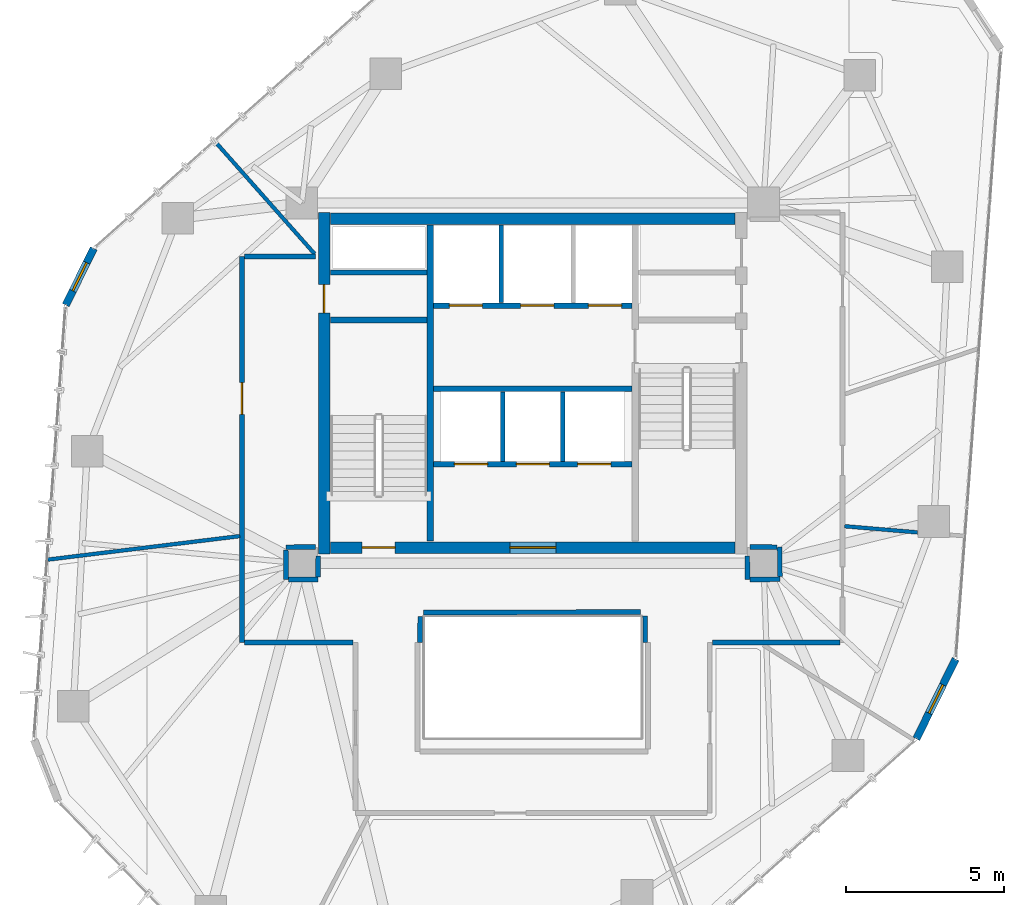
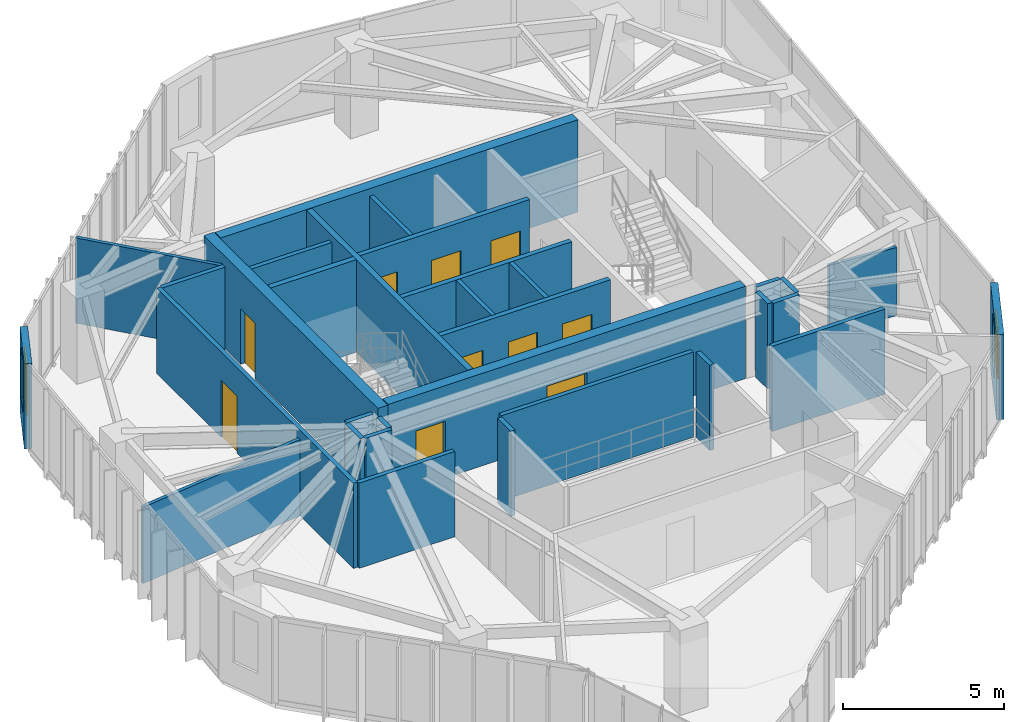
# One storey, part 16 of 20: 32 walls, 10 doors, 2 windows, 12 openings.
"""IFC4 building model written with IfcOpenShell, lengths in metres."""

import ifcopenshell
import ifcopenshell.guid

model = None  # the IFC model being written
_history = None  # IfcOwnerHistory: only IFC2X3 demands one
_inside = {}  # id of a spatial element -> (the spatial element, [elements in it])
_under = {}  # id of a project, library or spatial element -> (it, [spatial elements below it])
_declared = {}  # id of a project -> (the project, [libraries it declares])
_typed = {}  # id of a type object -> (the type object, [elements of that type])
_made_of = {}  # id of a material, layer set ... -> (it, [elements and type objects made of it])


def new_model(schema):
    """Start an empty IFC model of exactly this schema.

    Asked for "IFC4X3", IfcOpenShell would pick the latest addendum, in which some entities
    have other attributes; the version numbers below select the first issue.
    IFC2X3 requires an IfcOwnerHistory on every rooted entity: one is made here for all.
    """
    global model, _history
    if schema == "IFC4X3":
        model = ifcopenshell.file(schema_version=(4, 3, 0, 0))
    else:
        model = ifcopenshell.file(schema=schema)
    _inside.clear()
    _under.clear()
    _declared.clear()
    _typed.clear()
    _made_of.clear()
    _history = None
    if model.schema == "IFC2X3":
        org = make("IfcOrganization", Name="unknown")
        user = make(
            "IfcPersonAndOrganization",
            ThePerson=make("IfcPerson", FamilyName="unknown"),
            TheOrganization=org,
        )
        app = make(
            "IfcApplication",
            ApplicationDeveloper=org,
            Version="unknown",
            ApplicationFullName="unknown",
            ApplicationIdentifier="unknown",
        )
        _history = make(
            "IfcOwnerHistory",
            OwningUser=user,
            OwningApplication=app,
            ChangeAction="ADDED",
            CreationDate=0,
        )
    return model


def make(cls, **values):
    """One entity of the class cls with the attributes given. An attribute that is None is left unset."""
    return model.create_entity(
        cls, **{name: value for name, value in values.items() if value is not None}
    )


def rooted(cls, **values):
    """An entity with a GlobalId (a new one), such as an element, a storey or a relation."""
    return make(cls, GlobalId=ifcopenshell.guid.new(), OwnerHistory=_history, **values)


def si_unit(unit_type, name, prefix=None):
    """IfcSIUnit, for example si_unit("LENGTHUNIT", "METRE", prefix="MILLI")."""
    return make("IfcSIUnit", UnitType=unit_type, Prefix=prefix, Name=name)


def assignment(units):
    """IfcUnitAssignment: the units of a project."""
    return None if units is None else make("IfcUnitAssignment", Units=units)


def point(xyz):
    """IfcCartesianPoint."""
    return None if xyz is None else make("IfcCartesianPoint", Coordinates=xyz)


def direction(xyz):
    """IfcDirection."""
    return None if xyz is None else make("IfcDirection", DirectionRatios=xyz)


def frame(location, z_axis=None, x_axis=None):
    """IfcAxis2Placement3D, a coordinate frame: its origin and axes. An axis left out is left unset."""
    return make(
        "IfcAxis2Placement3D",
        Location=point(location),
        Axis=direction(z_axis),
        RefDirection=direction(x_axis),
    )


def frame_2d(location, x_axis=None):
    """IfcAxis2Placement2D, a coordinate frame in the plane: its origin and x axis."""
    return make(
        "IfcAxis2Placement2D", Location=point(location), RefDirection=direction(x_axis)
    )


def origin():
    """The frame at (0, 0, 0) with its axes left unset."""
    return frame((0.0, 0.0, 0.0))


def place(relative_to, where):
    """IfcLocalPlacement: puts the frame where relative to a parent placement (None: the world)."""
    return make(
        "IfcLocalPlacement", PlacementRelTo=relative_to, RelativePlacement=where
    )


def context(
    kind, dimensions, precision=None, world=None, true_north=None, identifier=None
):
    """IfcGeometricRepresentationContext, for example the 3D "Model" context."""
    return make(
        "IfcGeometricRepresentationContext",
        ContextIdentifier=identifier,
        ContextType=kind,
        CoordinateSpaceDimension=dimensions,
        Precision=precision,
        WorldCoordinateSystem=world,
        TrueNorth=true_north,
    )


def subcontext(parent, identifier, kind, view, scale=None):
    """IfcGeometricRepresentationSubContext, for example "Body" below "Model"."""
    return make(
        "IfcGeometricRepresentationSubContext",
        ContextIdentifier=identifier,
        ContextType=kind,
        ParentContext=parent,
        TargetScale=scale,
        TargetView=view,
    )


def project(units=None, contexts=None):
    """IfcProject with its units and contexts."""
    return rooted(
        "IfcProject",
        Name="project",
        RepresentationContexts=contexts,
        UnitsInContext=assignment(units),
    )


def spatial(cls, under=None, at=None, **own):
    """A site, building, storey or space (cls), placed at a placement, below another one or the project."""
    s = rooted(cls, ObjectPlacement=at, **own)
    if under is not None:
        _under.setdefault(under.id(), (under, []))[1].append(s)
    return s


def profile(cls, at=None, kind="AREA", **sizes):
    """A parametric profile (cls). Its sizes go by their IFC names, for example OverallWidth=200.0."""
    return make(cls, ProfileType=kind, Position=at, **sizes)


def rectangle(**sizes):
    """IfcRectangleProfileDef."""
    return profile("IfcRectangleProfileDef", **sizes)


def extrude(swept, where, along, depth):
    """IfcExtrudedAreaSolid: the profile swept, set in the frame where, extruded along a direction by depth."""
    return make(
        "IfcExtrudedAreaSolid",
        SweptArea=swept,
        Position=where,
        ExtrudedDirection=direction(along),
        Depth=depth,
    )


def shape(context_of_items, identifier, shape_type, items):
    """IfcShapeRepresentation: the items that make up one representation, for example the "Body"."""
    return make(
        "IfcShapeRepresentation",
        ContextOfItems=context_of_items,
        RepresentationIdentifier=identifier,
        RepresentationType=shape_type,
        Items=items,
    )


def source(mapping_origin, context_of_items, identifier, shape_type, items):
    """IfcRepresentationMap: a shape defined once, which mapped items show again and again."""
    return make(
        "IfcRepresentationMap",
        MappingOrigin=mapping_origin,
        MappedRepresentation=shape(context_of_items, identifier, shape_type, items),
    )


def transform(
    local_origin,
    x_axis=None,
    y_axis=None,
    z_axis=None,
    scale=None,
    scale2=None,
    scale3=None,
    uniform=True,
):
    """IfcCartesianTransformationOperator3D, or its non-uniform kind. x_axis, y_axis, z_axis: its Axis1, 2, 3."""
    if uniform:
        return make(
            "IfcCartesianTransformationOperator3D",
            Axis1=direction(x_axis),
            Axis2=direction(y_axis),
            LocalOrigin=point(local_origin),
            Scale=scale,
            Axis3=direction(z_axis),
        )
    return make(
        "IfcCartesianTransformationOperator3DnonUniform",
        Axis1=direction(x_axis),
        Axis2=direction(y_axis),
        LocalOrigin=point(local_origin),
        Scale=scale,
        Axis3=direction(z_axis),
        Scale2=scale2,
        Scale3=scale3,
    )


def mapped(mapping_source, mapping_target):
    """IfcMappedItem: shows the shape of a source again, moved by a transform."""
    return make(
        "IfcMappedItem", MappingSource=mapping_source, MappingTarget=mapping_target
    )


def material(Name=None, Category=None):
    """IfcMaterial."""
    return make("IfcMaterial", Name=Name, Category=Category)


def layer(
    of_material, thickness, ventilated=None, Name=None, Category=None, Priority=None
):
    """IfcMaterialLayer: one layer of a wall or slab, of a material (None: an air gap)."""
    return make(
        "IfcMaterialLayer",
        Material=of_material,
        LayerThickness=thickness,
        IsVentilated=ventilated,
        Name=Name,
        Category=Category,
        Priority=Priority,
    )


def layer_set(layers, Name=None):
    """IfcMaterialLayerSet."""
    return make("IfcMaterialLayerSet", MaterialLayers=layers, LayerSetName=Name)


def made_of(thing, what):
    """Note that an element or type object is made of a material, layer set ...; save() writes the relation."""
    if what is not None:
        _made_of.setdefault(what.id(), (what, []))[1].append(thing)
    return thing


def type_object(cls, material=None, **own):
    """A type object (cls), such as IfcWallType, which elements share."""
    return made_of(rooted(cls, **own), material)


def type_shapes(of_type, sources):
    """Give a type object the sources (RepresentationMaps) that its elements show as mapped items."""
    of_type.RepresentationMaps = sources


def element(
    cls,
    number,
    at=None,
    inside=None,
    cuts=None,
    type_object=None,
    material=None,
    context=None,
    identifier="Body",
    shape_type=None,
    held_by="IfcProductDefinitionShape",
    body=None,
    shapes=None,
    **own,
):
    """One element of the class cls, such as IfcWall. Its Tag is "e" and its number.

    at: its placement. inside: the storey or other place that contains it. cuts: it is an
    opening in that element (IfcRelVoidsElement). A single representation is given by context,
    identifier, shape_type and body (its items); several are given by shapes. held_by: the class
    of the entity that holds the representations. save() writes the other relations.
    """
    e = rooted(cls, Tag="e%d" % number, ObjectPlacement=at, **own)
    if body is not None:
        shapes = [shape(context, identifier, shape_type, body)]
    if shapes is not None:
        e.Representation = make(held_by, Representations=shapes)
    if inside is not None:
        _inside.setdefault(inside.id(), (inside, []))[1].append(e)
    if cuts is not None:
        rooted(
            "IfcRelVoidsElement", RelatingBuildingElement=cuts, RelatedOpeningElement=e
        )
    if type_object is not None:
        _typed.setdefault(type_object.id(), (type_object, []))[1].append(e)
    return made_of(e, material)


def fill(opening, filler):
    """IfcRelFillsElement: the door or window that sits in an opening."""
    return rooted(
        "IfcRelFillsElement",
        RelatingOpeningElement=opening,
        RelatedBuildingElement=filler,
    )


def aggregate(whole, parts):
    """IfcRelAggregates: a whole, such as a stair, and the parts it consists of."""
    return rooted("IfcRelAggregates", RelatingObject=whole, RelatedObjects=parts)


def save(model, path):
    """Write the relations noted so far, then the file.

    IfcRelAggregates (storeys below a building ...), IfcRelContainedInSpatialStructure (elements
    in a storey), IfcRelDefinesByType, IfcRelAssociatesMaterial and IfcRelDeclares: one each for
    every whole, place, type object, material and project.
    """
    for whole, parts in _under.values():
        aggregate(whole, parts)
    for where, things in _inside.values():
        rooted(
            "IfcRelContainedInSpatialStructure",
            RelatedElements=things,
            RelatingStructure=where,
        )
    for kind, things in _typed.values():
        rooted("IfcRelDefinesByType", RelatedObjects=things, RelatingType=kind)
    for what, things in _made_of.values():
        rooted("IfcRelAssociatesMaterial", RelatedObjects=things, RelatingMaterial=what)
    for by, libraries in _declared.values():
        rooted("IfcRelDeclares", RelatingContext=by, RelatedDefinitions=libraries)
    model.write(path)


model = new_model("IFC4")

# Units and contexts
model_context = context("Model", 3, precision=1e-05, world=origin(), true_north=direction((0.0, 1.0)))
body_context = subcontext(model_context, "Body", "Model", "MODEL_VIEW")
ifc_project = project(units=[si_unit("LENGTHUNIT", "METRE"), si_unit("AREAUNIT", "SQUARE_METRE"), si_unit("VOLUMEUNIT", "CUBIC_METRE"), si_unit("PLANEANGLEUNIT", "RADIAN"), si_unit("MASSUNIT", "GRAM", prefix="KILO")], contexts=[model_context])

# Site, building, storey
site_placement = place(None, origin())
site = spatial("IfcSite", under=ifc_project, at=site_placement, CompositionType="ELEMENT")
building_placement = place(site_placement, origin())
building = spatial("IfcBuilding", under=site, at=building_placement, Name="Talar Marvaseh", CompositionType="ELEMENT")
storey_placement = place(building_placement, frame((0.0, 0.0, 215.199951171875)))
storey = spatial("IfcBuildingStorey", under=building, at=storey_placement, Name="L56", CompositionType="ELEMENT", Elevation=215.199951171875)

# Wall, opening, window
ifc_material_1 = material(Name="Precast concrete C45/55", Category="concrete")
ifc_layer_1 = layer(ifc_material_1, 0.239990234375)
ifc_layer_set_1 = layer_set([ifc_layer_1], Name="Precast concrete C45/55")
wall_type_1 = type_object("IfcWallType", Name="Chamfered Hexagonal Corner Pier Wall Z3 240", PredefinedType="SOLIDWALL", material=ifc_layer_set_1)
wall_1_placement = place(storey_placement, frame((11.2294921875, 33.667236328125, 0.0), z_axis=(0.0, 0.0, 1.0), x_axis=(0.442185041508, 0.896923847975, 0.0)))
wall_1 = element("IfcWall", 1, at=wall_1_placement, inside=storey, type_object=wall_type_1, Name="L56 Chamfered Corner Limestone Pier 3", PredefinedType="SOLIDWALL", context=body_context, shape_type="SweptSolid", body=[
    extrude(rectangle(XDim=2.003173828125, YDim=0.239990234375, at=frame_2d((1.00146484375, 0.0))), origin(), (0.0, 0.0, 1.0), 3.22998046875),
])
opening_1_placement = place(wall_1_placement, frame((0.501953125, 0.0, 0.89990234375)))
opening_1 = element("IfcOpeningElement", 2, at=opening_1_placement, cuts=wall_1, Name="Opening WN-CHM10", PredefinedType="OPENING", context=body_context, shape_type="SweptSolid", body=[
    extrude(rectangle(XDim=1.0, YDim=1.949951171875, at=frame_2d((0.5, 0.97509765625))), frame((0.0, 0.1298828125, 0.0), z_axis=(0.0, -1.0, 0.0), x_axis=(1.0, 0.0, 0.0)), (0.0, 0.0, 1.0), 0.260009765625),
])
ifc_material_2 = material(Name="Laminated Low-E Solar Glass", Category="glass")
window_type = type_object("IfcWindowType", Name="Zone 3 Chamfered Corner Slot Window 1000x1950", PartitioningType="SINGLE_PANEL", PredefinedType="WINDOW", material=ifc_material_2)
shared_shape_1 = source(origin(), body_context, "Body", "SweptSolid", [
    extrude(rectangle(XDim=1.0, YDim=1.949951171875, at=frame_2d((0.5, 0.97509765625))), frame((0.0, 0.030029296875, 0.0), z_axis=(0.0, -1.0, 0.0), x_axis=(1.0, 0.0, 0.0)), (0.0, 0.0, 1.0), 0.06005859375),
])
type_shapes(window_type, [shared_shape_1])
window_1_placement = place(opening_1_placement, origin())
window_1 = element("IfcWindow", 3, at=window_1_placement, inside=storey, type_object=window_type, Name="L56 Chamfered Corner Slot Window", OverallHeight=1.949951171875, OverallWidth=1.0, PartitioningType="SINGLE_PANEL", PredefinedType="WINDOW", context=body_context, shape_type="MappedRepresentation", body=[
    mapped(shared_shape_1, transform((0.0, 0.0, 0.0), x_axis=(1.0, 0.0, 0.0), y_axis=(0.0, 1.0, 0.0), z_axis=(0.0, 0.0, 1.0), scale=1.0)),
])
fill(opening_1, window_1)

wall_2_placement = place(storey_placement, frame((39.37646484375, 22.472900390625, 0.0), z_axis=(0.0, 0.0, 1.0), x_axis=(-0.442281017176, -0.896876525418, 0.0)))
wall_2 = element("IfcWall", 4, at=wall_2_placement, inside=storey, type_object=wall_type_1, Name="L56 Chamfered Corner Limestone Pier 6", PredefinedType="SOLIDWALL", context=body_context, shape_type="SweptSolid", body=[
    extrude(rectangle(XDim=2.815185546875, YDim=0.239990234375, at=frame_2d((1.40771484375, 0.0))), origin(), (0.0, 0.0, 1.0), 3.22998046875),
])
opening_2_placement = place(wall_2_placement, frame((0.907958984375, 0.0, 0.89990234375)))
opening_2 = element("IfcOpeningElement", 5, at=opening_2_placement, cuts=wall_2, Name="Opening WN-CHM10", PredefinedType="OPENING", context=body_context, shape_type="SweptSolid", body=[
    extrude(rectangle(XDim=1.0, YDim=1.949951171875, at=frame_2d((0.5, 0.97509765625))), frame((0.0, 0.1298828125, 0.0), z_axis=(0.0, -1.0, 0.0), x_axis=(1.0, 0.0, 0.0)), (0.0, 0.0, 1.0), 0.260009765625),
])
window_2_placement = place(opening_2_placement, origin())
window_2 = element("IfcWindow", 6, at=window_2_placement, inside=storey, type_object=window_type, Name="L56 Chamfered Corner Slot Window", OverallHeight=1.949951171875, OverallWidth=1.0, PartitioningType="SINGLE_PANEL", PredefinedType="WINDOW", context=body_context, shape_type="MappedRepresentation", body=[
    mapped(shared_shape_1, transform((0.0, 0.0, 0.0), x_axis=(1.0, 0.0, 0.0), y_axis=(0.0, 1.0, 0.0), z_axis=(0.0, 0.0, 1.0), scale=1.0)),
])
fill(opening_2, window_2)

# Wall
ifc_material_3 = material(Name="Gypsum Board Partition Assembly")
ifc_layer_2 = layer(ifc_material_3, 0.155029296875)
ifc_layer_set_2 = layer_set([ifc_layer_2], Name="Gypsum Board Partition Assembly")
wall_type_2 = type_object("IfcWallType", Name="Corridor Fire-Rated Acoustic Partition 155", PredefinedType="PARTITIONING", material=ifc_layer_set_2)
wall_3_placement = place(storey_placement, frame((19.60009765625, 34.699951171875, 0.0), z_axis=(0.0, 0.0, 1.0), x_axis=(1.0, 0.0, 0.0)))
element("IfcWall", 7, at=wall_3_placement, inside=storey, type_object=wall_type_2, Name="L56 Core BOH Partition", PredefinedType="PARTITIONING", context=body_context, shape_type="SweptSolid", body=[
    extrude(rectangle(XDim=3.059814453125, YDim=0.155029296875, at=frame_2d((1.52978515625, 0.0))), origin(), (0.0, 0.0, 1.0), 3.22998046875),
])

# Wall, opening, door
wall_4_placement = place(storey_placement, frame((16.800048828125, 23.0, 0.0), z_axis=(0.0, 0.0, 1.0), x_axis=(0.0, 1.0, 0.0)))
wall_4 = element("IfcWall", 8, at=wall_4_placement, inside=storey, type_object=wall_type_2, Name="L56 Interior Partition Wall", PredefinedType="PARTITIONING", context=body_context, shape_type="SweptSolid", body=[
    extrude(rectangle(XDim=12.199951171875, YDim=0.155029296875, at=frame_2d((6.10009765625, 0.0))), origin(), (0.0, 0.0, 1.0), 3.22998046875),
])
opening_3_placement = place(wall_4_placement, frame((7.214599609375, 0.0, 0.0)))
opening_3 = element("IfcOpeningElement", 9, at=opening_3_placement, cuts=wall_4, Name="Opening DR-RM100", PredefinedType="OPENING", context=body_context, shape_type="SweptSolid", body=[
    extrude(rectangle(XDim=1.0, YDim=2.14990234375, at=frame_2d((0.5, 1.074951171875))), frame((0.0, 0.08740234375, 0.0), z_axis=(0.0, -1.0, 0.0), x_axis=(1.0, 0.0, 0.0)), (0.0, 0.0, 1.0), 0.175048828125),
])
ifc_material_4 = material(Name="Acoustic Engineered Oak Timber", Category="wood")
door_type_1 = type_object("IfcDoorType", Name="Corridor Fire-Rated Gallery Door 1000x2150", OperationType="NOTDEFINED", PredefinedType="DOOR", material=ifc_material_4)
shared_shape_2 = source(origin(), body_context, "Body", "SweptSolid", [
    extrude(rectangle(XDim=1.0, YDim=2.14990234375, at=frame_2d((0.5, 1.074951171875))), frame((0.0, 0.02490234375, 0.0), z_axis=(0.0, -1.0, 0.0), x_axis=(1.0, 0.0, 0.0)), (0.0, 0.0, 1.0), 0.050048828125),
])
type_shapes(door_type_1, [shared_shape_2])
door_1_placement = place(opening_3_placement, origin())
door_1 = element("IfcDoor", 10, at=door_1_placement, inside=storey, type_object=door_type_1, Name="L56 Scholars' Registration Reception Door", OperationType="SINGLE_SWING_LEFT", OverallHeight=2.14990234375, OverallWidth=1.0, PredefinedType="DOOR", context=body_context, shape_type="MappedRepresentation", body=[
    mapped(shared_shape_2, transform((0.0, 0.0, 0.0), x_axis=(1.0, 0.0, 0.0), y_axis=(0.0, 1.0, 0.0), z_axis=(0.0, 0.0, 1.0), scale=1.0)),
])
fill(opening_3, door_1)

# Walls
wall_5_placement = place(storey_placement, frame((16.883544921875, 35.199951171875, 0.0), z_axis=(0.0, 0.0, 1.0), x_axis=(1.0, 0.0, 0.0)))
element("IfcWall", 11, at=wall_5_placement, inside=storey, type_object=wall_type_2, Name="L56 Interior Partition Wall", PredefinedType="PARTITIONING", context=body_context, shape_type="SweptSolid", body=[
    extrude(rectangle(XDim=2.246337890625, YDim=0.155029296875, at=frame_2d((1.123046875, 0.0))), origin(), (0.0, 0.0, 1.0), 3.22998046875),
])
wall_6_placement = place(storey_placement, frame((19.1298828125, 26.0146484375, 0.0), z_axis=(0.0, 0.0, 1.0), x_axis=(-0.99999026157, -0.004413248818, 0.0)))
element("IfcWall", 12, at=wall_6_placement, inside=storey, type_object=wall_type_2, Name="L56 Interior Partition Wall", PredefinedType="PARTITIONING", context=body_context, shape_type="SweptSolid", body=[
    extrude(rectangle(XDim=0.9404296875, YDim=0.155029296875, at=frame_2d((0.47021484375, 0.0))), origin(), (0.0, 0.0, 1.0), 3.22998046875),
])
wall_7_placement = place(storey_placement, frame((18.189697265625, 25.927001953125, 0.0), z_axis=(0.0, 0.0, 1.0), x_axis=(0.002078997586, -0.999997838882, 0.0)))
element("IfcWall", 13, at=wall_7_placement, inside=storey, type_object=wall_type_2, Name="L56 Interior Partition Wall", PredefinedType="PARTITIONING", context=body_context, shape_type="SweptSolid", body=[
    extrude(rectangle(XDim=0.939453125, YDim=0.155029296875, at=frame_2d((0.4697265625, 0.0))), origin(), (0.0, 0.0, 1.0), 3.22998046875),
])
wall_8_placement = place(storey_placement, frame((18.275146484375, 24.987548828125, 0.0), z_axis=(0.0, 0.0, 1.0), x_axis=(0.999999692748, 0.0007839036, 0.0)))
element("IfcWall", 14, at=wall_8_placement, inside=storey, type_object=wall_type_2, Name="L56 Interior Partition Wall", PredefinedType="PARTITIONING", context=body_context, shape_type="SweptSolid", body=[
    extrude(rectangle(XDim=0.934326171875, YDim=0.155029296875, at=frame_2d((0.46728515625, 0.0))), origin(), (0.0, 0.0, 1.0), 3.22998046875),
])
wall_9_placement = place(storey_placement, frame((19.210205078125, 25.072021484375, 0.0), z_axis=(0.0, 0.0, 1.0), x_axis=(0.007420945932, 0.999972464402, 0.0)))
element("IfcWall", 15, at=wall_9_placement, inside=storey, type_object=wall_type_2, Name="L56 Interior Partition Wall", PredefinedType="PARTITIONING", context=body_context, shape_type="SweptSolid", body=[
    extrude(rectangle(XDim=0.657958984375, YDim=0.155029296875, at=frame_2d((0.3291015625, 0.0))), origin(), (0.0, 0.0, 1.0), 3.22998046875),
])
wall_10_placement = place(storey_placement, frame((32.784912109375, 25.72998046875, 0.0), z_axis=(0.0, 0.0, 1.0), x_axis=(0.007570553288, -0.999971342951, 0.0)))
element("IfcWall", 16, at=wall_10_placement, inside=storey, type_object=wall_type_2, Name="L56 Interior Partition Wall", PredefinedType="PARTITIONING", context=body_context, shape_type="SweptSolid", body=[
    extrude(rectangle(XDim=0.74169921875, YDim=0.155029296875, at=frame_2d((0.370849609375, 0.0))), origin(), (0.0, 0.0, 1.0), 3.22998046875),
])
wall_11_placement = place(storey_placement, frame((32.8740234375, 24.9892578125, 0.0), z_axis=(0.0, 0.0, 1.0), x_axis=(0.999934835738, 0.01141596595, 0.0)))
element("IfcWall", 17, at=wall_11_placement, inside=storey, type_object=wall_type_2, Name="L56 Interior Partition Wall", PredefinedType="PARTITIONING", context=body_context, shape_type="SweptSolid", body=[
    extrude(rectangle(XDim=0.94091796875, YDim=0.155029296875, at=frame_2d((0.470458984375, 0.0))), origin(), (0.0, 0.0, 1.0), 3.22998046875),
])
wall_12_placement = place(storey_placement, frame((33.814697265625, 25.08349609375, 0.0), z_axis=(0.0, 0.0, 1.0), x_axis=(-0.004477173984, 0.999989977406, 0.0)))
element("IfcWall", 18, at=wall_12_placement, inside=storey, type_object=wall_type_2, Name="L56 Interior Partition Wall", PredefinedType="PARTITIONING", context=body_context, shape_type="SweptSolid", body=[
    extrude(rectangle(XDim=0.927001953125, YDim=0.155029296875, at=frame_2d((0.46337890625, 0.0))), origin(), (0.0, 0.0, 1.0), 3.22998046875),
])
wall_13_placement = place(storey_placement, frame((33.72705078125, 26.010986328125, 0.0), z_axis=(0.0, 0.0, 1.0), x_axis=(-0.999990868706, 0.004273465251, 0.0)))
element("IfcWall", 19, at=wall_13_placement, inside=storey, type_object=wall_type_2, Name="L56 Interior Partition Wall", PredefinedType="PARTITIONING", context=body_context, shape_type="SweptSolid", body=[
    extrude(rectangle(XDim=0.85693359375, YDim=0.155029296875, at=frame_2d((0.428466796875, 0.0))), origin(), (0.0, 0.0, 1.0), 3.22998046875),
])
wall_14_placement = place(storey_placement, frame((35.716552734375, 23.0, 0.0), z_axis=(0.0, 0.0, 1.0), x_axis=(-1.0, 0.0, 0.0)))
element("IfcWall", 20, at=wall_14_placement, inside=storey, type_object=wall_type_2, Name="L56 Interior Partition Wall", PredefinedType="PARTITIONING", context=body_context, shape_type="SweptSolid", body=[
    extrude(rectangle(XDim=4.032958984375, YDim=0.155029296875, at=frame_2d((2.0166015625, 0.0))), origin(), (0.0, 0.0, 1.0), 3.22998046875),
])
wall_15_placement = place(storey_placement, frame((20.31640625, 23.0, 0.0), z_axis=(0.0, 0.0, 1.0), x_axis=(-1.0, 0.0, 0.0)))
element("IfcWall", 21, at=wall_15_placement, inside=storey, type_object=wall_type_2, Name="L56 Interior Partition Wall", PredefinedType="PARTITIONING", context=body_context, shape_type="SweptSolid", body=[
    extrude(rectangle(XDim=3.432861328125, YDim=0.155029296875, at=frame_2d((1.71630859375, 0.0))), origin(), (0.0, 0.0, 1.0), 3.22998046875),
])
wall_16_placement = place(storey_placement, frame((29.415771484375, 23.959228515625, 0.0), z_axis=(0.0, 0.0, 1.0), x_axis=(-0.999998607957, -0.001668557745, 0.0)))
element("IfcWall", 22, at=wall_16_placement, inside=storey, type_object=wall_type_2, Name="L56 Interior Partition Wall", PredefinedType="PARTITIONING", context=body_context, shape_type="SweptSolid", body=[
    extrude(rectangle(XDim=6.876953125, YDim=0.155029296875, at=frame_2d((3.4384765625, 0.0))), origin(), (0.0, 0.0, 1.0), 3.22998046875),
])
wall_17_placement = place(storey_placement, frame((22.44091796875, 23.815673828125, 0.0), z_axis=(0.0, 0.0, 1.0), x_axis=(-0.001197245475, -0.999999283301, 0.0)))
element("IfcWall", 23, at=wall_17_placement, inside=storey, type_object=wall_type_2, Name="L56 Interior Partition Wall", PredefinedType="PARTITIONING", context=body_context, shape_type="SweptSolid", body=[
    extrude(rectangle(XDim=0.815673828125, YDim=0.155029296875, at=frame_2d((0.40771484375, 0.0))), origin(), (0.0, 0.0, 1.0), 3.22998046875),
])
wall_18_placement = place(storey_placement, frame((29.56005859375, 23.0, 0.0), z_axis=(0.0, 0.0, 1.0), x_axis=(-0.003817887006, 0.999992711843, 0.0)))
element("IfcWall", 24, at=wall_18_placement, inside=storey, type_object=wall_type_2, Name="L56 Interior Partition Wall", PredefinedType="PARTITIONING", context=body_context, shape_type="SweptSolid", body=[
    extrude(rectangle(XDim=0.831298828125, YDim=0.155029296875, at=frame_2d((0.41552734375, 0.0))), origin(), (0.0, 0.0, 1.0), 3.22998046875),
])
ifc_layer_3 = layer(ifc_material_3, 0.1201171875)
ifc_layer_set_3 = layer_set([ifc_layer_3], Name="Gypsum Board Partition Assembly")
wall_type_3 = type_object("IfcWallType", Name="Demountable Studio Room Partition 120", PredefinedType="PARTITIONING", material=ifc_layer_set_3)
wall_19_placement = place(storey_placement, frame((10.660888671875, 25.6181640625, 0.0), z_axis=(0.0, 0.0, 1.0), x_axis=(0.99258530829, 0.121550013438, 0.0)))
element("IfcWall", 25, at=wall_19_placement, inside=storey, type_object=wall_type_3, Name="L56 Interior Partition Wall", PredefinedType="PARTITIONING", context=body_context, shape_type="SweptSolid", body=[
    extrude(rectangle(XDim=6.1201171875, YDim=0.1201171875, at=frame_2d((3.06005859375, 0.0))), origin(), (0.0, 0.0, 1.0), 2.89208984375),
])
wall_20_placement = place(storey_placement, frame((35.86474609375, 26.674560546875, 0.0), z_axis=(0.0, 0.0, 1.0), x_axis=(0.996456394082, -0.084110966541, 0.0)))
element("IfcWall", 26, at=wall_20_placement, inside=storey, type_object=wall_type_3, Name="L56 Interior Partition Wall", PredefinedType="PARTITIONING", context=body_context, shape_type="SweptSolid", body=[
    extrude(rectangle(XDim=2.3134765625, YDim=0.1201171875, at=frame_2d((1.15673828125, 0.0))), origin(), (0.0, 0.0, 1.0), 2.589111328125),
])
wall_21_placement = place(storey_placement, frame((19.10595703125, 35.283447265625, 0.0), z_axis=(0.0, 0.0, 1.0), x_axis=(-0.663281417738, 0.748370069473, 0.0)))
element("IfcWall", 27, at=wall_21_placement, inside=storey, type_object=wall_type_3, Name="L56 Interior Partition Wall", PredefinedType="PARTITIONING", context=body_context, shape_type="SweptSolid", body=[
    extrude(rectangle(XDim=4.762939453125, YDim=0.1201171875, at=frame_2d((2.38134765625, 0.0))), origin(), (0.0, 0.0, 1.0), 3.22998046875),
])
ifc_layer_4 = layer(ifc_material_1, 0.14501953125)
ifc_layer_set_4 = layer_set([ifc_layer_4], Name="Precast concrete C45/55")
wall_type_4 = type_object("IfcWallType", Name="Fire-Rated Lift Divider Wall 145", PredefinedType="SOLIDWALL", material=ifc_layer_set_4)
wall_22_placement = place(storey_placement, frame((25.0, 33.743408203125, 0.0), z_axis=(0.0, 0.0, 1.0), x_axis=(0.0, 1.0, 0.0)))
element("IfcWall", 28, at=wall_22_placement, inside=storey, type_object=wall_type_4, Name="L56 FFL-1/FFL-2 Divider", PredefinedType="SOLIDWALL", context=body_context, shape_type="SweptSolid", body=[
    extrude(rectangle(XDim=2.45654296875, YDim=0.14501953125, at=frame_2d((1.228271484375, 0.0))), origin(), (0.0, 0.0, 1.0), 3.22998046875),
])
for number, where, z_axis, x_axis, name in (
    (29, (25.050048828125, 28.719970703125, 0.0), (0.0, 0.0, 1.0), (0.0, 1.0, 0.0), "L56 PL-H1/PL-H2 Divider"),
    (30, (26.949951171875, 28.719970703125, 0.0), (0.0, 0.0, 1.0), (0.0, 1.0, 0.0), "L56 PL-H2/PL-H3 Divider"),
):
    element("IfcWall", number, at=place(storey_placement, frame(where, z_axis=z_axis, x_axis=x_axis)), inside=storey, type_object=wall_type_4, Name=name, PredefinedType="SOLIDWALL", context=body_context, shape_type="SweptSolid", body=[
        extrude(rectangle(XDim=2.20654296875, YDim=0.14501953125, at=frame_2d((1.103271484375, 0.0))), origin(), (0.0, 0.0, 1.0), 3.22998046875),
    ])

# Wall, openings, doors
ifc_layer_5 = layer(ifc_material_1, 0.175048828125)
ifc_layer_set_5 = layer_set([ifc_layer_5], Name="Precast concrete C45/55")
wall_type_5 = type_object("IfcWallType", Name="Fire-Rated Lift Hoistway Enclosure Wall 175", PredefinedType="SOLIDWALL", material=ifc_layer_set_5)
wall_23_placement = place(storey_placement, frame((22.860107421875, 33.64990234375, 0.0), z_axis=(0.0, 0.0, 1.0), x_axis=(1.0, 0.0, 0.0)))
wall_23 = element("IfcWall", 31, at=wall_23_placement, inside=storey, type_object=wall_type_5, Name="L56 Firefighting and Service Lift Front Wall", PredefinedType="SOLIDWALL", context=body_context, shape_type="SweptSolid", body=[
    extrude(rectangle(XDim=6.27978515625, YDim=0.175048828125, at=frame_2d((3.139892578125, 0.0))), origin(), (0.0, 0.0, 1.0), 3.22998046875),
])
opening_4_placement = place(wall_23_placement, frame((0.5, 0.0, 0.0)))
opening_4 = element("IfcOpeningElement", 32, at=opening_4_placement, cuts=wall_23, Name="Opening LD-FF1", PredefinedType="OPENING", context=body_context, shape_type="SweptSolid", body=[
    extrude(rectangle(XDim=1.050048828125, YDim=2.14990234375, at=frame_2d((0.52490234375, 1.074951171875))), frame((0.0, 0.09765625, 0.0), z_axis=(0.0, -1.0, 0.0), x_axis=(1.0, 0.0, 0.0)), (0.0, 0.0, 1.0), 0.195068359375),
])
opening_5_placement = place(wall_23_placement, frame((2.760009765625, 0.0, 0.0)))
opening_5 = element("IfcOpeningElement", 33, at=opening_5_placement, cuts=wall_23, Name="Opening LD-FF2", PredefinedType="OPENING", context=body_context, shape_type="SweptSolid", body=[
    extrude(rectangle(XDim=1.050048828125, YDim=2.14990234375, at=frame_2d((0.52490234375, 1.074951171875))), frame((0.0, 0.09765625, 0.0), z_axis=(0.0, -1.0, 0.0), x_axis=(1.0, 0.0, 0.0)), (0.0, 0.0, 1.0), 0.195068359375),
])
opening_6_placement = place(wall_23_placement, frame((4.89990234375, 0.0, 0.0)))
opening_6 = element("IfcOpeningElement", 34, at=opening_6_placement, cuts=wall_23, Name="Opening LD-SV1", PredefinedType="OPENING", context=body_context, shape_type="SweptSolid", body=[
    extrude(rectangle(XDim=1.050048828125, YDim=2.14990234375, at=frame_2d((0.52490234375, 1.074951171875))), frame((0.0, 0.09765625, 0.0), z_axis=(0.0, -1.0, 0.0), x_axis=(1.0, 0.0, 0.0)), (0.0, 0.0, 1.0), 0.195068359375),
])
ifc_material_5 = material(Name="Stainless Steel Grade 316", Category="steel")
door_type_2 = type_object("IfcDoorType", Name="Automatic Sliding Lift Landing Door 1050x2150", OperationType="NOTDEFINED", PredefinedType="DOOR", material=ifc_material_5)
shared_shape_3 = source(origin(), body_context, "Body", "SweptSolid", [
    extrude(rectangle(XDim=1.050048828125, YDim=2.14990234375, at=frame_2d((0.52490234375, 1.074951171875))), frame((0.0, 0.02490234375, 0.0), z_axis=(0.0, -1.0, 0.0), x_axis=(1.0, 0.0, 0.0)), (0.0, 0.0, 1.0), 0.050048828125),
])
type_shapes(door_type_2, [shared_shape_3])
door_2_placement = place(opening_4_placement, origin())
door_2 = element("IfcDoor", 35, at=door_2_placement, inside=storey, type_object=door_type_2, Name="L56 Lift FFL-1 Sliding Landing Door", OperationType="SLIDING_TO_LEFT", OverallHeight=2.14990234375, OverallWidth=1.050048828125, PredefinedType="DOOR", context=body_context, shape_type="MappedRepresentation", body=[
    mapped(shared_shape_3, transform((0.0, 0.0, 0.0), x_axis=(1.0, 0.0, 0.0), y_axis=(0.0, 1.0, 0.0), z_axis=(0.0, 0.0, 1.0), scale=1.0)),
])
fill(opening_4, door_2)
door_3_placement = place(opening_5_placement, origin())
door_3 = element("IfcDoor", 36, at=door_3_placement, inside=storey, type_object=door_type_2, Name="L56 Lift FFL-2 Sliding Landing Door", OperationType="SLIDING_TO_LEFT", OverallHeight=2.14990234375, OverallWidth=1.050048828125, PredefinedType="DOOR", context=body_context, shape_type="MappedRepresentation", body=[
    mapped(shared_shape_3, transform((0.0, 0.0, 0.0), x_axis=(1.0, 0.0, 0.0), y_axis=(0.0, 1.0, 0.0), z_axis=(0.0, 0.0, 1.0), scale=1.0)),
])
fill(opening_5, door_3)
door_4_placement = place(opening_6_placement, origin())
door_4 = element("IfcDoor", 37, at=door_4_placement, inside=storey, type_object=door_type_2, Name="L56 Lift SVL-1 Sliding Landing Door", OperationType="SLIDING_TO_LEFT", OverallHeight=2.14990234375, OverallWidth=1.050048828125, PredefinedType="DOOR", context=body_context, shape_type="MappedRepresentation", body=[
    mapped(shared_shape_3, transform((0.0, 0.0, 0.0), x_axis=(1.0, 0.0, 0.0), y_axis=(0.0, 1.0, 0.0), z_axis=(0.0, 0.0, 1.0), scale=1.0)),
])
fill(opening_6, door_4)

# Wall
wall_24_placement = place(storey_placement, frame((22.860107421875, 31.02001953125, 0.0), z_axis=(0.0, 0.0, 1.0), x_axis=(1.0, 0.0, 0.0)))
element("IfcWall", 38, at=wall_24_placement, inside=storey, type_object=wall_type_5, Name="L56 Firefighting Lobby South Smoke Wall", PredefinedType="SOLIDWALL", context=body_context, shape_type="SweptSolid", body=[
    extrude(rectangle(XDim=6.27978515625, YDim=0.175048828125, at=frame_2d((3.139892578125, 0.0))), origin(), (0.0, 0.0, 1.0), 3.22998046875),
])

# Wall, openings, doors
wall_25_placement = place(storey_placement, frame((22.860107421875, 28.639892578125, 0.0), z_axis=(0.0, 0.0, 1.0), x_axis=(1.0, 0.0, 0.0)))
wall_25 = element("IfcWall", 39, at=wall_25_placement, inside=storey, type_object=wall_type_5, Name="L56 High-Rise Lift Bank Front Wall", PredefinedType="SOLIDWALL", context=body_context, shape_type="SweptSolid", body=[
    extrude(rectangle(XDim=6.27978515625, YDim=0.175048828125, at=frame_2d((3.139892578125, 0.0))), origin(), (0.0, 0.0, 1.0), 3.22998046875),
])
opening_7_placement = place(wall_25_placement, frame((0.659912109375, 0.0, 0.0)))
opening_7 = element("IfcOpeningElement", 40, at=opening_7_placement, cuts=wall_25, Name="Opening LD-PLH1", PredefinedType="OPENING", context=body_context, shape_type="SweptSolid", body=[
    extrude(rectangle(XDim=1.050048828125, YDim=2.14990234375, at=frame_2d((0.52490234375, 1.074951171875))), frame((0.0, 0.09765625, 0.0), z_axis=(0.0, -1.0, 0.0), x_axis=(1.0, 0.0, 0.0)), (0.0, 0.0, 1.0), 0.195068359375),
])
opening_8_placement = place(wall_25_placement, frame((2.6201171875, 0.0, 0.0)))
opening_8 = element("IfcOpeningElement", 41, at=opening_8_placement, cuts=wall_25, Name="Opening LD-PLH2", PredefinedType="OPENING", context=body_context, shape_type="SweptSolid", body=[
    extrude(rectangle(XDim=1.050048828125, YDim=2.14990234375, at=frame_2d((0.52490234375, 1.074951171875))), frame((0.0, 0.09765625, 0.0), z_axis=(0.0, -1.0, 0.0), x_axis=(1.0, 0.0, 0.0)), (0.0, 0.0, 1.0), 0.195068359375),
])
opening_9_placement = place(wall_25_placement, frame((4.56005859375, 0.0, 0.0)))
opening_9 = element("IfcOpeningElement", 42, at=opening_9_placement, cuts=wall_25, Name="Opening LD-PLH3", PredefinedType="OPENING", context=body_context, shape_type="SweptSolid", body=[
    extrude(rectangle(XDim=1.050048828125, YDim=2.14990234375, at=frame_2d((0.52490234375, 1.074951171875))), frame((0.0, 0.09765625, 0.0), z_axis=(0.0, -1.0, 0.0), x_axis=(1.0, 0.0, 0.0)), (0.0, 0.0, 1.0), 0.195068359375),
])
door_5_placement = place(opening_7_placement, origin())
door_5 = element("IfcDoor", 43, at=door_5_placement, inside=storey, type_object=door_type_2, Name="L56 Lift PL-H1 Sliding Landing Door", OperationType="SLIDING_TO_LEFT", OverallHeight=2.14990234375, OverallWidth=1.050048828125, PredefinedType="DOOR", context=body_context, shape_type="MappedRepresentation", body=[
    mapped(shared_shape_3, transform((0.0, 0.0, 0.0), x_axis=(1.0, 0.0, 0.0), y_axis=(0.0, 1.0, 0.0), z_axis=(0.0, 0.0, 1.0), scale=1.0)),
])
fill(opening_7, door_5)
door_6_placement = place(opening_8_placement, origin())
door_6 = element("IfcDoor", 44, at=door_6_placement, inside=storey, type_object=door_type_2, Name="L56 Lift PL-H2 Sliding Landing Door", OperationType="SLIDING_TO_LEFT", OverallHeight=2.14990234375, OverallWidth=1.050048828125, PredefinedType="DOOR", context=body_context, shape_type="MappedRepresentation", body=[
    mapped(shared_shape_3, transform((0.0, 0.0, 0.0), x_axis=(1.0, 0.0, 0.0), y_axis=(0.0, 1.0, 0.0), z_axis=(0.0, 0.0, 1.0), scale=1.0)),
])
fill(opening_8, door_6)
door_7_placement = place(opening_9_placement, origin())
door_7 = element("IfcDoor", 45, at=door_7_placement, inside=storey, type_object=door_type_2, Name="L56 Lift PL-H3 Sliding Landing Door", OperationType="SLIDING_TO_LEFT", OverallHeight=2.14990234375, OverallWidth=1.050048828125, PredefinedType="DOOR", context=body_context, shape_type="MappedRepresentation", body=[
    mapped(shared_shape_3, transform((0.0, 0.0, 0.0), x_axis=(1.0, 0.0, 0.0), y_axis=(0.0, 1.0, 0.0), z_axis=(0.0, 0.0, 1.0), scale=1.0)),
])
fill(opening_9, door_7)

# Walls
ifc_material_6 = material(Name="Concrete C50/60", Category="concrete")
ifc_layer_6 = layer(ifc_material_6, 0.199951171875)
ifc_layer_set_6 = layer_set([ifc_layer_6], Name="Concrete C50/60")
wall_type_6 = type_object("IfcWallType", Name="Stair Shaft Structural Concrete Shear Wall 200", PredefinedType="SHEAR", material=ifc_layer_set_6)
wall_26_placement = place(storey_placement, frame((22.760009765625, 26.199951171875, 0.0), z_axis=(0.0, 0.0, 1.0), x_axis=(0.0, 1.0, 0.0)))
element("IfcWall", 46, at=wall_26_placement, inside=storey, type_object=wall_type_6, Name="L56 Core West Stair Shear Wall", PredefinedType="SHEAR", context=body_context, shape_type="SweptSolid", body=[
    extrude(rectangle(XDim=10.0, YDim=0.199951171875, at=frame_2d((5.0, 0.0))), origin(), (0.0, 0.0, 1.0), 3.5),
])
wall_27_placement = place(storey_placement, frame((19.60009765625, 33.199951171875, 0.0), z_axis=(0.0, 0.0, 1.0), x_axis=(1.0, 0.0, 0.0)))
element("IfcWall", 47, at=wall_27_placement, inside=storey, type_object=wall_type_6, Name="L56 Stair ST-1 North Shear Wall", PredefinedType="SHEAR", context=body_context, shape_type="SweptSolid", body=[
    extrude(rectangle(XDim=3.059814453125, YDim=0.199951171875, at=frame_2d((1.52978515625, 0.0))), origin(), (0.0, 0.0, 1.0), 3.5),
])

# Wall, opening, door
ifc_layer_7 = layer(ifc_material_6, 0.360107421875)
ifc_layer_set_7 = layer_set([ifc_layer_7], Name="Concrete C50/60")
wall_type_7 = type_object("IfcWallType", Name="Upper Core Reinforced Concrete Shear Wall 360", PredefinedType="SHEAR", material=ifc_layer_set_7)
wall_28_placement = place(storey_placement, frame((19.39990234375, 25.800048828125, 0.0), z_axis=(0.0, 0.0, 1.0), x_axis=(0.0, 1.0, 0.0)))
wall_28 = element("IfcWall", 48, at=wall_28_placement, inside=storey, type_object=wall_type_7, Name="L56 West Core Shear Wall", PredefinedType="SHEAR", context=body_context, shape_type="SweptSolid", body=[
    extrude(rectangle(XDim=10.800048828125, YDim=0.360107421875, at=frame_2d((5.39990234375, 0.0))), origin(), (0.0, 0.0, 1.0), 3.5),
])
opening_10_placement = place(wall_28_placement, frame((7.6201171875, 0.0, 0.0)))
opening_10 = element("IfcOpeningElement", 49, at=opening_10_placement, cuts=wall_28, Name="Opening DR-BOH090", PredefinedType="OPENING", context=body_context, shape_type="SweptSolid", body=[
    extrude(rectangle(XDim=0.89990234375, YDim=2.10009765625, at=frame_2d((0.449951171875, 1.050048828125))), frame((0.0, 0.18994140625, 0.0), z_axis=(0.0, -1.0, 0.0), x_axis=(1.0, 0.0, 0.0)), (0.0, 0.0, 1.0), 0.380126953125),
])
ifc_material_7 = material(Name="Fire-Rated Steel Door Leaf", Category="steel")
door_type_3 = type_object("IfcDoorType", Name="Core Back-of-House Service Door 900x2100", OperationType="NOTDEFINED", PredefinedType="DOOR", material=ifc_material_7)
shared_shape_4 = source(origin(), body_context, "Body", "SweptSolid", [
    extrude(rectangle(XDim=0.89990234375, YDim=2.10009765625, at=frame_2d((0.449951171875, 1.050048828125))), frame((0.0, 0.02490234375, 0.0), z_axis=(0.0, -1.0, 0.0), x_axis=(1.0, 0.0, 0.0)), (0.0, 0.0, 1.0), 0.050048828125),
])
type_shapes(door_type_3, [shared_shape_4])
door_8_placement = place(opening_10_placement, origin())
door_8 = element("IfcDoor", 50, at=door_8_placement, inside=storey, type_object=door_type_3, Name="L56 Cleaner Core West Closet Door", OperationType="SINGLE_SWING_LEFT", OverallHeight=2.10009765625, OverallWidth=0.89990234375, PredefinedType="DOOR", context=body_context, shape_type="MappedRepresentation", body=[
    mapped(shared_shape_4, transform((0.0, 0.0, 0.0), x_axis=(1.0, 0.0, 0.0), y_axis=(0.0, 1.0, 0.0), z_axis=(0.0, 0.0, 1.0), scale=1.0)),
])
fill(opening_10, door_8)

# Wall
wall_29_placement = place(storey_placement, frame((19.60009765625, 36.39990234375, 0.0), z_axis=(0.0, 0.0, 1.0), x_axis=(1.0, 0.0, 0.0)))
element("IfcWall", 51, at=wall_29_placement, inside=storey, type_object=wall_type_7, Name="L56 North Core Shear Wall", PredefinedType="SHEAR", context=body_context, shape_type="SweptSolid", body=[
    extrude(rectangle(XDim=12.7998046875, YDim=0.360107421875, at=frame_2d((6.39990234375, 0.0))), origin(), (0.0, 0.0, 1.0), 3.5),
])

# Wall, openings, doors
wall_30_placement = place(storey_placement, frame((32.39990234375, 26.0, 0.0), z_axis=(0.0, 0.0, 1.0), x_axis=(-1.0, 0.0, 0.0)))
wall_30 = element("IfcWall", 52, at=wall_30_placement, inside=storey, type_object=wall_type_7, Name="L56 South Core Shear Wall", PredefinedType="SHEAR", context=body_context, shape_type="SweptSolid", body=[
    extrude(rectangle(XDim=12.7998046875, YDim=0.360107421875, at=frame_2d((6.39990234375, 0.0))), origin(), (0.0, 0.0, 1.0), 3.5),
])
opening_11_placement = place(wall_30_placement, frame((10.75, 0.0, 0.0)))
opening_11 = element("IfcOpeningElement", 53, at=opening_11_placement, cuts=wall_30, Name="Opening DR-ST105", PredefinedType="OPENING", context=body_context, shape_type="SweptSolid", body=[
    extrude(rectangle(XDim=1.050048828125, YDim=2.14990234375, at=frame_2d((0.52490234375, 1.074951171875))), frame((0.0, 0.18994140625, 0.0), z_axis=(0.0, -1.0, 0.0), x_axis=(1.0, 0.0, 0.0)), (0.0, 0.0, 1.0), 0.380126953125),
])
opening_12_placement = place(wall_30_placement, frame((5.669921875, 0.0, 0.0)))
opening_12 = element("IfcOpeningElement", 54, at=opening_12_placement, cuts=wall_30, Name="Opening DR-LBY145", PredefinedType="OPENING", context=body_context, shape_type="SweptSolid", body=[
    extrude(rectangle(XDim=1.449951171875, YDim=2.199951171875, at=frame_2d((0.72509765625, 1.10009765625))), frame((0.0, 0.18994140625, 0.0), z_axis=(0.0, -1.0, 0.0), x_axis=(1.0, 0.0, 0.0)), (0.0, 0.0, 1.0), 0.380126953125),
])
door_type_4 = type_object("IfcDoorType", Name="Protected Exit Stair Fire Door 1050x2150", OperationType="NOTDEFINED", PredefinedType="DOOR", material=ifc_material_7)
shared_shape_5 = source(origin(), body_context, "Body", "SweptSolid", [
    extrude(rectangle(XDim=1.050048828125, YDim=2.14990234375, at=frame_2d((0.52490234375, 1.074951171875))), frame((0.0, 0.02490234375, 0.0), z_axis=(0.0, -1.0, 0.0), x_axis=(1.0, 0.0, 0.0)), (0.0, 0.0, 1.0), 0.050048828125),
])
type_shapes(door_type_4, [shared_shape_5])
door_9_placement = place(opening_11_placement, origin())
door_9 = element("IfcDoor", 55, at=door_9_placement, inside=storey, type_object=door_type_4, Name="L56 Stair ST-1 Exit Door", OperationType="SINGLE_SWING_RIGHT", OverallHeight=2.14990234375, OverallWidth=1.050048828125, PredefinedType="DOOR", context=body_context, shape_type="MappedRepresentation", body=[
    mapped(shared_shape_5, transform((0.0, 0.0, 0.0), x_axis=(1.0, 0.0, 0.0), y_axis=(0.0, 1.0, 0.0), z_axis=(0.0, 0.0, 1.0), scale=1.0)),
])
fill(opening_11, door_9)
door_type_5 = type_object("IfcDoorType", Name="Core Lift Lobby Double Smoke Door 1450x2200", OperationType="NOTDEFINED", PredefinedType="DOOR", material=ifc_material_7)
shared_shape_6 = source(origin(), body_context, "Body", "SweptSolid", [
    extrude(rectangle(XDim=1.449951171875, YDim=2.199951171875, at=frame_2d((0.72509765625, 1.10009765625))), frame((0.0, 0.02490234375, 0.0), z_axis=(0.0, -1.0, 0.0), x_axis=(1.0, 0.0, 0.0)), (0.0, 0.0, 1.0), 0.050048828125),
])
type_shapes(door_type_5, [shared_shape_6])
door_10_placement = place(opening_12_placement, origin())
door_10 = element("IfcDoor", 56, at=door_10_placement, inside=storey, type_object=door_type_5, Name="L56 Passenger Lift Lobby Entrance Door", OperationType="DOUBLE_DOOR_SINGLE_SWING", OverallHeight=2.199951171875, OverallWidth=1.449951171875, PredefinedType="DOOR", context=body_context, shape_type="MappedRepresentation", body=[
    mapped(shared_shape_6, transform((0.0, 0.0, 0.0), x_axis=(1.0, 0.0, 0.0), y_axis=(0.0, 1.0, 0.0), z_axis=(0.0, 0.0, 1.0), scale=1.0)),
])
fill(opening_12, door_10)

save(model, "model.ifc")
